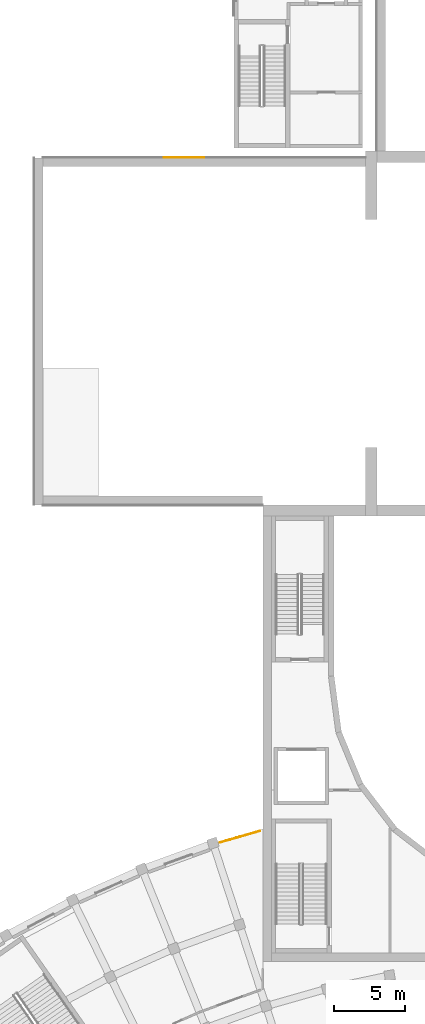
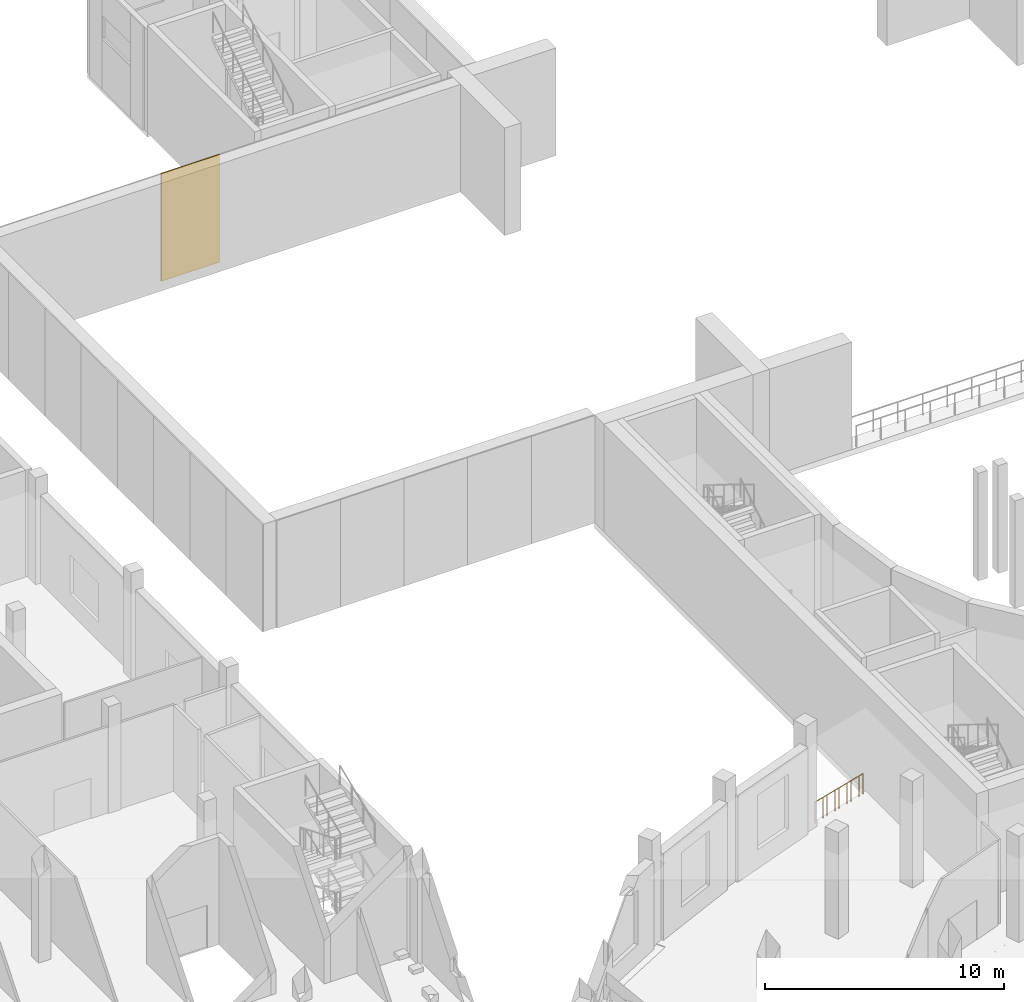
# One storey, part 93 of 112: 1 covering, 1 railing.
"""IFC4 building model written with IfcOpenShell, lengths in metres."""

from ifc_helpers import new_model, si_unit, direction, frame, origin, origin_2d, place, context, subcontext, project, spatial, rectangle, circle, extrude, material, layer, layer_set, type_object, element, save


model = new_model("IFC4")

# Units and contexts
model_context = context("Model", 3, precision=1e-05, world=origin(), true_north=direction((0.0, 1.0)))
body_context = subcontext(model_context, "Body", "Model", "MODEL_VIEW")
ifc_project = project(units=[si_unit("LENGTHUNIT", "METRE"), si_unit("AREAUNIT", "SQUARE_METRE"), si_unit("VOLUMEUNIT", "CUBIC_METRE"), si_unit("PLANEANGLEUNIT", "RADIAN"), si_unit("MASSUNIT", "GRAM", prefix="KILO")], contexts=[model_context])

# Site, building, storey
site_placement = place(None, origin())
site = spatial("IfcSite", under=ifc_project, at=site_placement, CompositionType="ELEMENT")
building_placement = place(site_placement, origin())
building = spatial("IfcBuilding", under=site, at=building_placement, Name="Lunette Opera House", CompositionType="ELEMENT")
storey_placement = place(building_placement, frame((0.0, 0.0, 6.0)))
storey = spatial("IfcBuildingStorey", under=building, at=storey_placement, Name="L01", CompositionType="ELEMENT", Elevation=6.0)

# Railing
ifc_material_1 = material(Name="Steel S355", Category="steel")
railing_type = type_object("IfcRailingType", Name="DECK GUARD 1100", PredefinedType="GUARDRAIL", material=ifc_material_1)
railing_placement = place(storey_placement, frame((75.7900390625, 73.135986328125, 0.0)))
element("IfcRailing", 1, at=railing_placement, inside=storey, type_object=railing_type, Name="Deck guard 008", PredefinedType="GUARDRAIL", context=body_context, shape_type="SweptSolid", body=[
    extrude(circle(Radius=0.02392578125, at=origin_2d()), frame((0.0, 0.0, 1.076171875), z_axis=(-0.962280734503, -0.272058427556, 0.0), x_axis=(0.272058427556, -0.962280734503, 0.0)), (0.0, 0.0, 1.0), 0.2421875),
    extrude(circle(Radius=0.02392578125, at=origin_2d()), frame((-0.233154296875, -0.06591796875, 1.076171875), z_axis=(-0.960699201485, -0.277591506113, 0.0), x_axis=(0.277591506113, -0.960699201485, 0.0)), (0.0, 0.0, 1.0), 0.48291015625),
    extrude(circle(Radius=0.02392578125, at=origin_2d()), frame((-0.697021484375, -0.199951171875, 1.076171875), z_axis=(-0.962206045824, -0.272322465799, 0.0), x_axis=(0.272322465799, -0.962206045824, 0.0)), (0.0, 0.0, 1.0), 0.241943359375),
    extrude(circle(Radius=0.02392578125, at=origin_2d()), frame((-0.929931640625, -0.265869140625, 1.076171875), z_axis=(-0.960738135556, -0.277456726155, 0.0), x_axis=(0.277456726155, -0.960738135556, 0.0)), (0.0, 0.0, 1.0), 0.483154296875),
    extrude(circle(Radius=0.02392578125, at=origin_2d()), frame((-1.39404296875, -0.39990234375, 1.076171875), z_axis=(-0.961941381411, -0.273255885076, 0.0), x_axis=(0.273255885076, -0.961941381411, 0.0)), (0.0, 0.0, 1.0), 0.2421875),
    extrude(circle(Radius=0.02392578125, at=origin_2d()), frame((-1.626953125, -0.466064453125, 1.076171875), z_axis=(-0.960738135556, -0.277456726155, 0.0), x_axis=(0.277456726155, -0.960738135556, 0.0)), (0.0, 0.0, 1.0), 0.483154296875),
    extrude(circle(Radius=0.02392578125, at=origin_2d()), frame((-2.091064453125, -0.60009765625, 1.076171875), z_axis=(-0.962206045824, -0.272322465799, 0.0), x_axis=(0.272322465799, -0.962206045824, 0.0)), (0.0, 0.0, 1.0), 0.241943359375),
    extrude(circle(Radius=0.02392578125, at=origin_2d()), frame((-2.323974609375, -0.666015625, 1.076171875), z_axis=(-0.960738135556, -0.277456726155, 0.0), x_axis=(0.277456726155, -0.960738135556, 0.0)), (0.0, 0.0, 1.0), 0.483154296875),
    extrude(circle(Radius=0.02099609375, at=origin_2d()), origin(), (0.0, 0.0, 1.0), 1.052001953125),
    extrude(circle(Radius=0.02099609375, at=origin_2d()), frame((-0.233154296875, -0.06591796875, 0.0)), (0.0, 0.0, 1.0), 1.052001953125),
    extrude(circle(Radius=0.02099609375, at=origin_2d()), frame((-0.697021484375, -0.199951171875, 0.0)), (0.0, 0.0, 1.0), 1.052001953125),
    extrude(circle(Radius=0.02099609375, at=origin_2d()), frame((-0.929931640625, -0.265869140625, 0.0)), (0.0, 0.0, 1.0), 1.052001953125),
    extrude(circle(Radius=0.02099609375, at=origin_2d()), frame((-1.39404296875, -0.39990234375, 0.0)), (0.0, 0.0, 1.0), 1.052001953125),
    extrude(circle(Radius=0.02099609375, at=origin_2d()), frame((-1.626953125, -0.466064453125, 0.0)), (0.0, 0.0, 1.0), 1.052001953125),
    extrude(circle(Radius=0.02099609375, at=origin_2d()), frame((-2.091064453125, -0.60009765625, 0.0)), (0.0, 0.0, 1.0), 1.052001953125),
    extrude(circle(Radius=0.02099609375, at=origin_2d()), frame((-2.323974609375, -0.666015625, 0.0)), (0.0, 0.0, 1.0), 1.052001953125),
    extrude(circle(Radius=0.02099609375, at=origin_2d()), frame((-2.7880859375, -0.800048828125, 0.0)), (0.0, 0.0, 1.0), 1.052001953125),
])

# Covering
ifc_material_2 = material(Name="Aluminium standing seam cladding", Category="aluminium")
ifc_layer = layer(ifc_material_2, 0.06005859375)
ifc_layer_set = layer_set([ifc_layer], Name="Aluminium standing seam cladding")
covering_type = type_object("IfcCoveringType", Name="STANDING SEAM CLADDING 60", PredefinedType="CLADDING", material=ifc_layer_set)
covering_placement = place(storey_placement, frame((70.487060546875, 120.330078125, 0.0), z_axis=(0.0, 0.0, 1.0), x_axis=(1.0, 0.0, 0.0)))
element("IfcCovering", 2, at=covering_placement, inside=storey, type_object=covering_type, Name="Standing seam cladding SW-N-1 L01 03", PredefinedType="CLADDING", context=body_context, shape_type="SweptSolid", body=[
    extrude(rectangle(XDim=2.824951171875, YDim=0.06005859375, at=origin_2d()), origin(), (0.0, 0.0, 1.0), 5.5),
])

save(model, "model.ifc")
